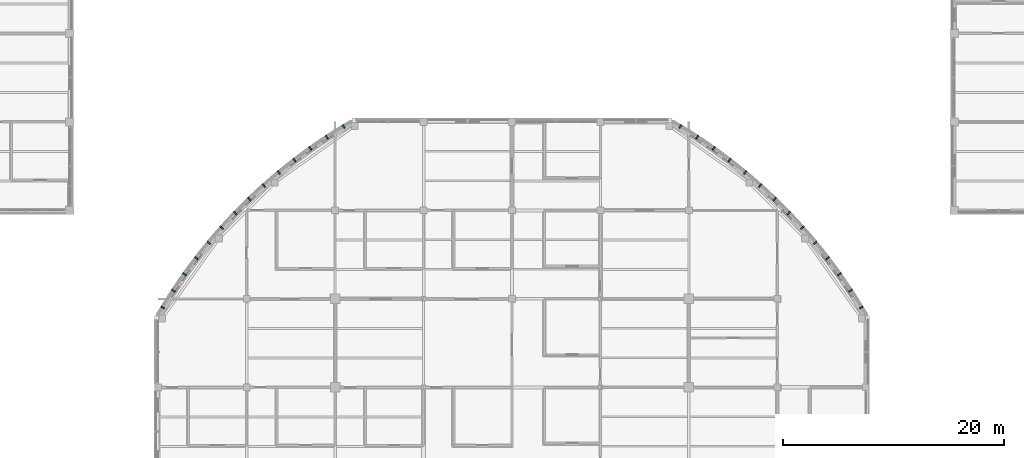
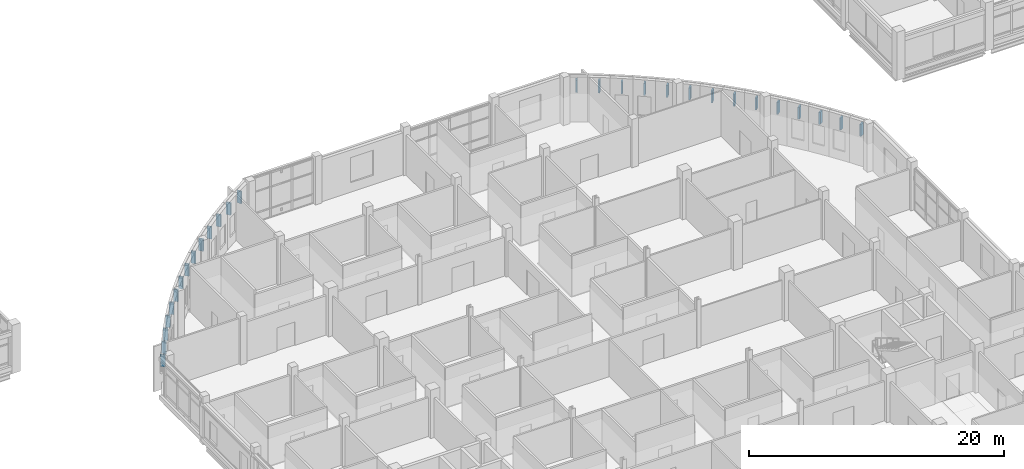
# One storey, part 100 of 121: 28 discrete accessories.
"""IFC4 building model written with IfcOpenShell, lengths in metres."""

from ifc_helpers import new_model, si_unit, derived_unit, direction, frame, origin, origin_2d, place, context, subcontext, project, spatial, rectangle, extrude, material, type_object, element, save


model = new_model("IFC4")

# Units and contexts
model_context = context("Model", 3, precision=1e-05, world=origin(), true_north=direction((0.0, 1.0)))
body_context = subcontext(model_context, "Body", "Model", "MODEL_VIEW")
ifc_project = project(units=[si_unit("LENGTHUNIT", "METRE"), si_unit("AREAUNIT", "SQUARE_METRE"), si_unit("VOLUMEUNIT", "CUBIC_METRE"), si_unit("PLANEANGLEUNIT", "RADIAN"), si_unit("MASSUNIT", "GRAM", prefix="KILO"), derived_unit("THERMALTRANSMITTANCEUNIT", [(si_unit("MASSUNIT", "GRAM", prefix="KILO"), 1), (si_unit("TIMEUNIT", "SECOND"), -3), (si_unit("THERMODYNAMICTEMPERATUREUNIT", "KELVIN"), -1)])], contexts=[model_context])

# Site, building, storey
site_placement = place(None, origin())
site = spatial("IfcSite", under=ifc_project, at=site_placement, CompositionType="ELEMENT")
building_placement = place(site_placement, origin())
building = spatial("IfcBuilding", under=site, at=building_placement, Name="Veyamyaing Civic Hall", CompositionType="ELEMENT")
storey_placement = place(building_placement, frame((0.0, 0.0, 5.280029296875)))
storey = spatial("IfcBuildingStorey", under=building, at=storey_placement, Name="L01", CompositionType="ELEMENT", Elevation=5.280029296875)

# Discrete accessories
ifc_material = material(Name="Steel S355J2", Category="steel")
discrete_accessory_type = type_object("IfcDiscreteAccessoryType", Name="BK-01", PredefinedType="BRACKET", material=ifc_material)
for number, where, z_axis, x_axis, name in (
    (1, (119.57958984375, 79.225341796875, 2.72509765625), (0.0, 0.0, 1.0), (0.856524554554, 0.516106275341, 0.0), "Ribbon support bracket BK-01 L01 NE.1"),
    (2, (118.623779296875, 80.74658203125, 2.72509765625), (0.0, 0.0, 1.0), (0.836627765432, 0.547771833986, 0.0), "Ribbon support bracket BK-01 L01 NE.2"),
    (3, (117.611572265625, 82.231201171875, 2.72509765625), (0.0, 0.0, 1.0), (0.815560869203, 0.578671295836, 0.0), "Ribbon support bracket BK-01 L01 NE.3"),
    (4, (116.544921875, 83.6767578125, 2.72509765625), (0.0, 0.0, 1.0), (0.793353339122, 0.608761430532, 0.0), "Ribbon support bracket BK-01 L01 NE.4"),
    (5, (115.424560546875, 85.081298828125, 2.72509765625), (0.0, 0.0, 1.0), (0.770036237186, 0.638000151583, 0.0), "Ribbon support bracket BK-01 L01 NE.5"),
    (6, (114.252685546875, 86.443115234375, 2.72509765625), (0.0, 0.0, 1.0), (0.745642163228, 0.666346579804, 0.0), "Ribbon support bracket BK-01 L01 NE.6"),
    (7, (113.030517578125, 87.76025390625, 2.72509765625), (0.0, 0.0, 1.0), (0.720205244388, 0.693761058259, 0.0), "Ribbon support bracket BK-01 L01 NE.7"),
    (8, (111.76025390625, 89.030517578125, 2.72509765625), (0.0, 0.0, 1.0), (0.693761058259, 0.720205244388, 0.0), "Ribbon support bracket BK-01 L01 NE.8"),
    (9, (110.443115234375, 90.252685546875, 2.72509765625), (0.0, 0.0, 1.0), (0.666346579804, 0.745642163228, 0.0), "Ribbon support bracket BK-01 L01 NE.9"),
    (10, (109.081298828125, 91.424560546875, 2.72509765625), (0.0, 0.0, 1.0), (0.638000151583, 0.770036237186, 0.0), "Ribbon support bracket BK-01 L01 NE.10"),
    (11, (107.6767578125, 92.544921875, 2.72509765625), (0.0, 0.0, 1.0), (0.608761430532, 0.793353339122, 0.0), "Ribbon support bracket BK-01 L01 NE.11"),
    (12, (106.231201171875, 93.611572265625, 2.72509765625), (0.0, 0.0, 1.0), (0.578671295836, 0.815560869203, 0.0), "Ribbon support bracket BK-01 L01 NE.12"),
    (13, (104.74658203125, 94.623779296875, 2.72509765625), (0.0, 0.0, 1.0), (0.547771833986, 0.836627765432, 0.0), "Ribbon support bracket BK-01 L01 NE.13"),
    (14, (103.225341796875, 95.57958984375, 2.72509765625), (0.0, 0.0, 1.0), (0.516106275341, 0.856524554554, 0.0), "Ribbon support bracket BK-01 L01 NE.14"),
    (15, (72.774658203125, 95.57958984375, 2.72509765625), (0.0, 0.0, 1.0), (-0.516106275341, 0.856524554554, 0.0), "Ribbon support bracket BK-01 L01 NW.1"),
    (16, (71.25341796875, 94.623779296875, 2.72509765625), (0.0, 0.0, 1.0), (-0.547771833986, 0.836627765432, 0.0), "Ribbon support bracket BK-01 L01 NW.2"),
    (17, (69.768798828125, 93.611572265625, 2.72509765625), (0.0, 0.0, 1.0), (-0.578671295836, 0.815560869203, 0.0), "Ribbon support bracket BK-01 L01 NW.3"),
    (18, (68.3232421875, 92.544921875, 2.72509765625), (0.0, 0.0, 1.0), (-0.608761430532, 0.793353339122, 0.0), "Ribbon support bracket BK-01 L01 NW.4"),
    (19, (66.918701171875, 91.424560546875, 2.72509765625), (0.0, 0.0, 1.0), (-0.638000151583, 0.770036237186, 0.0), "Ribbon support bracket BK-01 L01 NW.5"),
    (20, (65.556884765625, 90.252685546875, 2.72509765625), (0.0, 0.0, 1.0), (-0.666346579804, 0.745642163228, 0.0), "Ribbon support bracket BK-01 L01 NW.6"),
    (21, (64.23974609375, 89.030517578125, 2.72509765625), (0.0, 0.0, 1.0), (-0.693761058259, 0.720205244388, 0.0), "Ribbon support bracket BK-01 L01 NW.7"),
    (22, (62.969482421875, 87.76025390625, 2.72509765625), (0.0, 0.0, 1.0), (-0.720205244388, 0.693761058259, 0.0), "Ribbon support bracket BK-01 L01 NW.8"),
    (23, (61.747314453125, 86.443115234375, 2.72509765625), (0.0, 0.0, 1.0), (-0.745642163228, 0.666346579804, 0.0), "Ribbon support bracket BK-01 L01 NW.9"),
    (24, (60.575439453125, 85.081298828125, 2.72509765625), (0.0, 0.0, 1.0), (-0.770036237186, 0.638000151583, 0.0), "Ribbon support bracket BK-01 L01 NW.10"),
    (25, (59.455078125, 83.6767578125, 2.72509765625), (0.0, 0.0, 1.0), (-0.793353339122, 0.608761430532, 0.0), "Ribbon support bracket BK-01 L01 NW.11"),
    (26, (58.388427734375, 82.231201171875, 2.72509765625), (0.0, 0.0, 1.0), (-0.815560869203, 0.578671295836, 0.0), "Ribbon support bracket BK-01 L01 NW.12"),
    (27, (57.376220703125, 80.74658203125, 2.72509765625), (0.0, 0.0, 1.0), (-0.836627765432, 0.547771833986, 0.0), "Ribbon support bracket BK-01 L01 NW.13"),
    (28, (56.42041015625, 79.225341796875, 2.72509765625), (0.0, 0.0, 1.0), (-0.856524554554, 0.516106275341, 0.0), "Ribbon support bracket BK-01 L01 NW.14"),
):
    element("IfcDiscreteAccessory", number, at=place(storey_placement, frame(where, z_axis=z_axis, x_axis=x_axis)), inside=storey, type_object=discrete_accessory_type, Name=name, PredefinedType="BRACKET", context=body_context, shape_type="SweptSolid", body=[
        extrude(rectangle(XDim=0.3798828125, YDim=0.139892578125, at=origin_2d()), origin(), (0.0, 0.0, 1.0), 1.14990234375),
    ])

save(model, "model.ifc")
